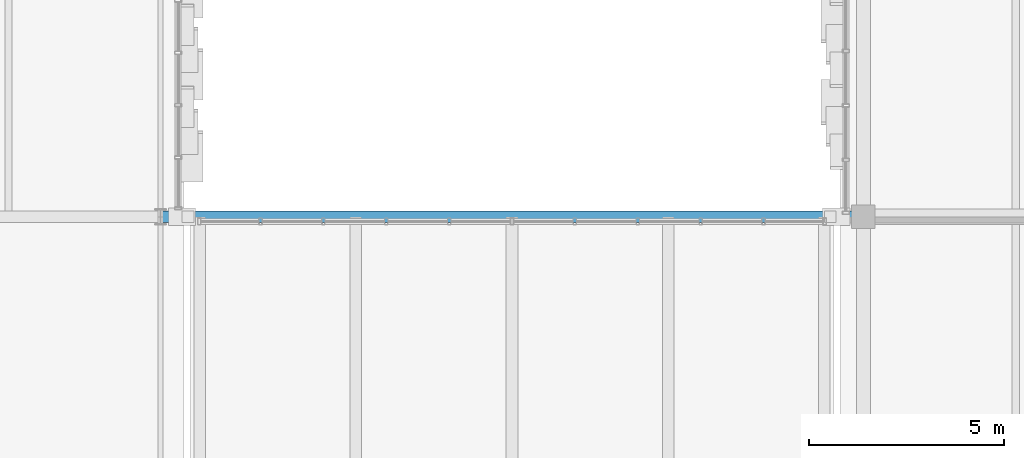
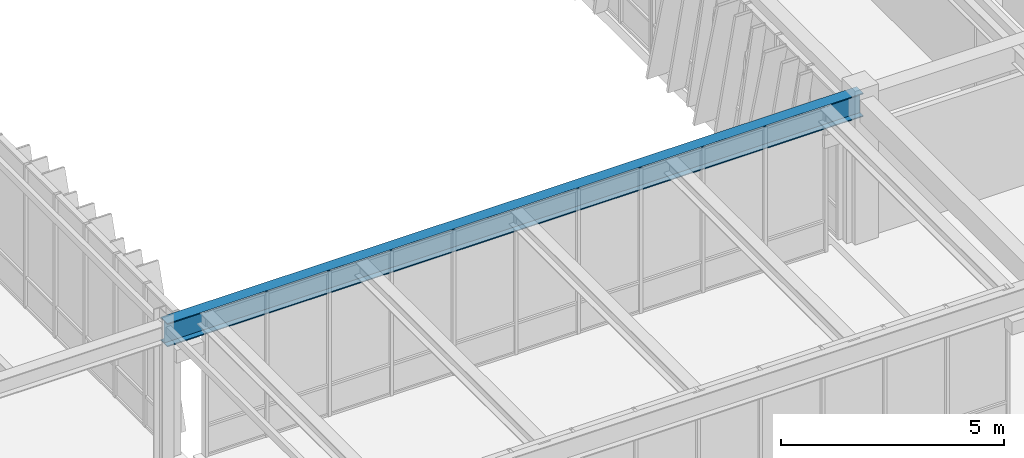
# One storey, part 57 of 127: 1 beam.
"""IFC4 building model written with IfcOpenShell, lengths in metres."""

from ifc_helpers import new_model, si_unit, direction, frame, origin, origin_2d, place, context, subcontext, project, spatial, i_section, extrude, material, material_profile, profile_set, type_object, element, save


model = new_model("IFC4")

# Units and contexts
model_context = context("Model", 3, precision=1e-05, world=origin(), true_north=direction((0.0, 1.0)))
body_context = subcontext(model_context, "Body", "Model", "MODEL_VIEW")
ifc_project = project(units=[si_unit("LENGTHUNIT", "METRE"), si_unit("AREAUNIT", "SQUARE_METRE"), si_unit("VOLUMEUNIT", "CUBIC_METRE"), si_unit("PLANEANGLEUNIT", "RADIAN"), si_unit("MASSUNIT", "GRAM", prefix="KILO")], contexts=[model_context])

# Site, building, storey
site_placement = place(None, origin())
site = spatial("IfcSite", under=ifc_project, at=site_placement, CompositionType="ELEMENT")
building_placement = place(site_placement, origin())
building = spatial("IfcBuilding", under=site, at=building_placement, Name="Zayran Congress Hotel", CompositionType="ELEMENT")
storey_placement = place(building_placement, frame((0.0, 0.0, 10.800048828125)))
storey = spatial("IfcBuildingStorey", under=building, at=storey_placement, Name="L02", CompositionType="ELEMENT", Elevation=10.800048828125)

# Beam
ifc_material = material(Name="Steel S355", Category="steel")
ifc_material_profile = material_profile(ifc_material, i_section(OverallWidth=0.300048828125, OverallDepth=0.639892578125, WebThickness=0.013427734375, FlangeThickness=0.02587890625, at=origin_2d()), Name="HEA 650")
ifc_profile_set = profile_set([ifc_material_profile], Name="Steel S355")
beam_type = type_object("IfcBeamType", Name="TP-BM-04", PredefinedType="BEAM", material=ifc_profile_set)
beam_placement = place(storey_placement, frame((91.800048828125, 84.39990234375, 3.639892578125), z_axis=(1.0, 0.0, 0.0), x_axis=(0.0, 1.0, 0.0)))
element("IfcBeam", 1, at=beam_placement, inside=storey, type_object=beam_type, Name="BM-BR1-L02-2416", PredefinedType="BEAM", context=body_context, shape_type="SweptSolid", body=[
    extrude(i_section(OverallWidth=0.300048828125, OverallDepth=0.639892578125, WebThickness=0.013427734375, FlangeThickness=0.02587890625, at=origin_2d()), origin(), (0.0, 0.0, 1.0), 18.0),
])

save(model, "model.ifc")
